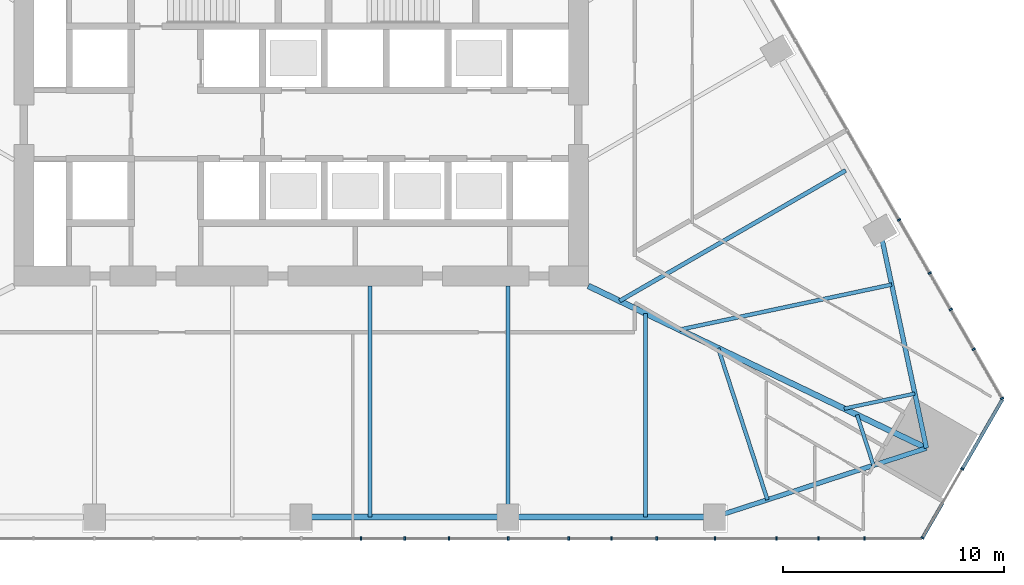
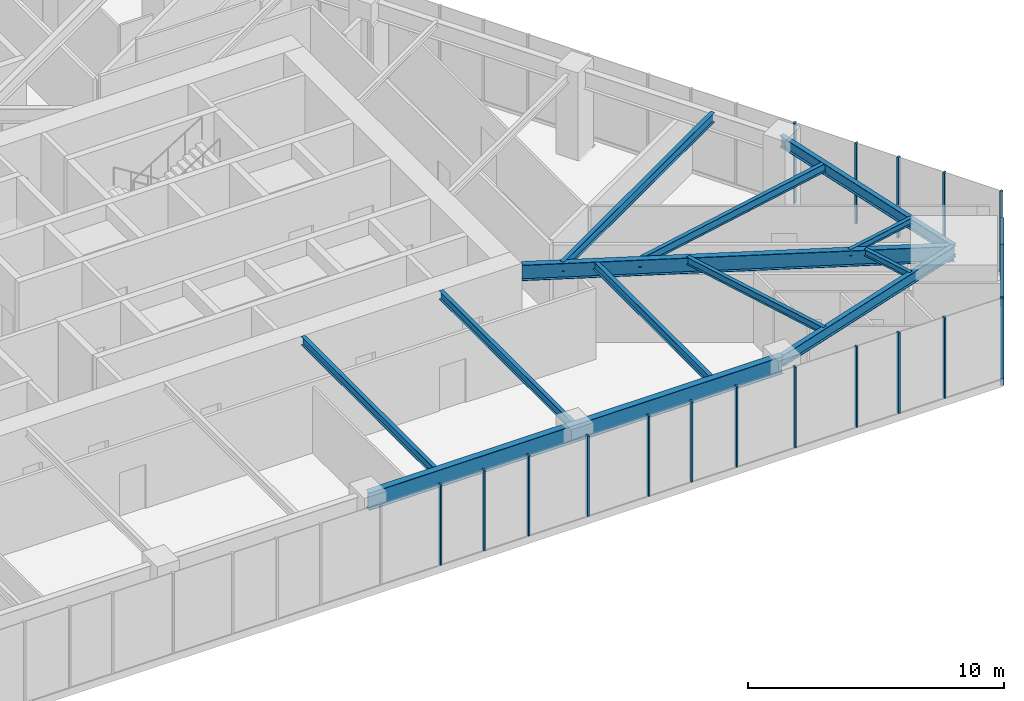
# One storey, part 6 of 19: 22 members, 12 beams, 3 elements without a shape of their own.
"""IFC4 building model written with IfcOpenShell, lengths in metres."""

from ifc_helpers import new_model, si_unit, direction, frame, origin, origin_2d, place, context, subcontext, project, spatial, rectangle, i_section, extrude, material, layer, layer_set, material_profile, profile_set, type_object, element, aggregate, save


model = new_model("IFC4")

# Units and contexts
model_context = context("Model", 3, precision=1e-05, world=origin(), true_north=direction((0.0, 1.0)))
body_context = subcontext(model_context, "Body", "Model", "MODEL_VIEW")
ifc_project = project(units=[si_unit("LENGTHUNIT", "METRE"), si_unit("AREAUNIT", "SQUARE_METRE"), si_unit("VOLUMEUNIT", "CUBIC_METRE"), si_unit("PLANEANGLEUNIT", "RADIAN"), si_unit("MASSUNIT", "GRAM", prefix="KILO")], contexts=[model_context])

# Site, building, storey
site_placement = place(None, origin())
site = spatial("IfcSite", under=ifc_project, at=site_placement, CompositionType="ELEMENT")
building_placement = place(site_placement, origin())
building = spatial("IfcBuilding", under=site, at=building_placement, Name="Firuza Gate Tower and Library", CompositionType="ELEMENT")
storey_placement = place(building_placement, frame((0.0, 0.0, 103.0)))
storey = spatial("IfcBuildingStorey", under=building, at=storey_placement, Name="L23", CompositionType="ELEMENT", Elevation=103.0)

# Curtain wall, members
ifc_material_1 = material(Name="Aluminium 6063-T6", Category="aluminium")
ifc_layer_1 = layer(ifc_material_1, 0.14990234375)
ifc_layer_set_1 = layer_set([ifc_layer_1], Name="Unitised curtain wall, offices")
curtain_wall_type_1 = type_object("IfcCurtainWallType", Name="Unitised curtain wall, offices", PredefinedType="NOTDEFINED", material=ifc_layer_set_1)
placement = place(storey_placement, origin())
curtain_wall_1 = element("IfcCurtainWall", 1, at=placement, inside=storey, type_object=curtain_wall_type_1, Name="CW1 L23 S face", PredefinedType="NOTDEFINED")
ifc_material_2 = material(Name="Aluminium 6063-T6", Category="aluminium")
ifc_material_profile_1 = material_profile(ifc_material_2, rectangle(XDim=0.14990234375, YDim=0.080078125, at=origin_2d()))
ifc_profile_set_1 = profile_set([ifc_material_profile_1], Name="Aluminium 6063-T6")
member_type_1 = type_object("IfcMemberType", Name="Curtain wall mullion 80x150", PredefinedType="MULLION", material=ifc_profile_set_1)
member_1_placement = place(storey_placement, frame((79.684326171875, 54.566162109375, 0.14990234375), z_axis=(0.0, 0.0, 1.0), x_axis=(0.0, 1.0, 0.0)))
member_1 = element("IfcMember", 2, at=member_1_placement, type_object=member_type_1, Name="Mullion", PredefinedType="MULLION", context=body_context, shape_type="SweptSolid", body=[
    extrude(rectangle(XDim=0.14990234375, YDim=0.080078125, at=origin_2d()), origin(), (0.0, 0.0, 1.0), 3.85009765625),
])
member_2_placement = place(storey_placement, frame((84.36865234375, 54.566162109375, 0.14990234375), z_axis=(0.0, 0.0, 1.0), x_axis=(0.0, 1.0, 0.0)))
member_2 = element("IfcMember", 3, at=member_2_placement, type_object=member_type_1, Name="Mullion", PredefinedType="MULLION", context=body_context, shape_type="SweptSolid", body=[
    extrude(rectangle(XDim=0.14990234375, YDim=0.080078125, at=origin_2d()), origin(), (0.0, 0.0, 1.0), 3.85009765625),
])
member_3_placement = place(storey_placement, frame((89.052978515625, 54.566162109375, 0.14990234375), z_axis=(0.0, 0.0, 1.0), x_axis=(0.0, 1.0, 0.0)))
member_3 = element("IfcMember", 4, at=member_3_placement, type_object=member_type_1, Name="Mullion", PredefinedType="MULLION", context=body_context, shape_type="SweptSolid", body=[
    extrude(rectangle(XDim=0.14990234375, YDim=0.080078125, at=origin_2d()), origin(), (0.0, 0.0, 1.0), 3.85009765625),
])
member_4_placement = place(storey_placement, frame((93.7373046875, 54.566162109375, 0.14990234375), z_axis=(0.0, 0.0, 1.0), x_axis=(0.0, 1.0, 0.0)))
member_4 = element("IfcMember", 5, at=member_4_placement, type_object=member_type_1, Name="Mullion", PredefinedType="MULLION", context=body_context, shape_type="SweptSolid", body=[
    extrude(rectangle(XDim=0.14990234375, YDim=0.080078125, at=origin_2d()), origin(), (0.0, 0.0, 1.0), 3.85009765625),
])
member_5_placement = place(storey_placement, frame((98.421630859375, 54.566162109375, 0.14990234375), z_axis=(0.0, 0.0, 1.0), x_axis=(0.0, 1.0, 0.0)))
member_5 = element("IfcMember", 6, at=member_5_placement, type_object=member_type_1, Name="Mullion", PredefinedType="MULLION", context=body_context, shape_type="SweptSolid", body=[
    extrude(rectangle(XDim=0.14990234375, YDim=0.080078125, at=origin_2d()), origin(), (0.0, 0.0, 1.0), 3.85009765625),
])
member_6_placement = place(storey_placement, frame((77.712890625, 54.566162109375, 0.14990234375), z_axis=(0.0, 0.0, 1.0), x_axis=(0.0, 1.0, 0.0)))
member_6 = element("IfcMember", 7, at=member_6_placement, type_object=member_type_1, Name="Mullion", PredefinedType="MULLION", context=body_context, shape_type="SweptSolid", body=[
    extrude(rectangle(XDim=0.14990234375, YDim=0.080078125, at=origin_2d()), origin(), (0.0, 0.0, 1.0), 3.85009765625),
])
member_7_placement = place(storey_placement, frame((81.6904296875, 54.566162109375, 0.14990234375), z_axis=(0.0, 0.0, 1.0), x_axis=(0.0, 1.0, 0.0)))
member_7 = element("IfcMember", 8, at=member_7_placement, type_object=member_type_1, Name="Mullion", PredefinedType="MULLION", context=body_context, shape_type="SweptSolid", body=[
    extrude(rectangle(XDim=0.14990234375, YDim=0.080078125, at=origin_2d()), origin(), (0.0, 0.0, 1.0), 3.85009765625),
])
member_8_placement = place(storey_placement, frame((87.116455078125, 54.566162109375, 0.14990234375), z_axis=(0.0, 0.0, 1.0), x_axis=(0.0, 1.0, 0.0)))
member_8 = element("IfcMember", 9, at=member_8_placement, type_object=member_type_1, Name="Mullion", PredefinedType="MULLION", context=body_context, shape_type="SweptSolid", body=[
    extrude(rectangle(XDim=0.14990234375, YDim=0.080078125, at=origin_2d()), origin(), (0.0, 0.0, 1.0), 3.85009765625),
])
member_9_placement = place(storey_placement, frame((91.09375, 54.566162109375, 0.14990234375), z_axis=(0.0, 0.0, 1.0), x_axis=(0.0, 1.0, 0.0)))
member_9 = element("IfcMember", 10, at=member_9_placement, type_object=member_type_1, Name="Mullion", PredefinedType="MULLION", context=body_context, shape_type="SweptSolid", body=[
    extrude(rectangle(XDim=0.14990234375, YDim=0.080078125, at=origin_2d()), origin(), (0.0, 0.0, 1.0), 3.85009765625),
])
member_10_placement = place(storey_placement, frame((96.519775390625, 54.566162109375, 0.14990234375), z_axis=(0.0, 0.0, 1.0), x_axis=(0.0, 1.0, 0.0)))
member_10 = element("IfcMember", 11, at=member_10_placement, type_object=member_type_1, Name="Mullion", PredefinedType="MULLION", context=body_context, shape_type="SweptSolid", body=[
    extrude(rectangle(XDim=0.14990234375, YDim=0.080078125, at=origin_2d()), origin(), (0.0, 0.0, 1.0), 3.85009765625),
])
member_11_placement = place(storey_placement, frame((100.4970703125, 54.566162109375, 0.14990234375), z_axis=(0.0, 0.0, 1.0), x_axis=(0.0, 1.0, 0.0)))
member_11 = element("IfcMember", 12, at=member_11_placement, type_object=member_type_1, Name="Mullion", PredefinedType="MULLION", context=body_context, shape_type="SweptSolid", body=[
    extrude(rectangle(XDim=0.14990234375, YDim=0.080078125, at=origin_2d()), origin(), (0.0, 0.0, 1.0), 3.85009765625),
])
aggregate(curtain_wall_1, [member_1, member_2, member_3, member_4, member_5, member_6, member_7, member_8, member_9, member_10, member_11])

ifc_material_3 = material(Name="Aluminium 6063-T6", Category="aluminium")
ifc_layer_2 = layer(ifc_material_3, 0.14990234375)
ifc_layer_set_2 = layer_set([ifc_layer_2], Name="Corner curtain wall, chamfers")
curtain_wall_type_2 = type_object("IfcCurtainWallType", Name="Corner curtain wall, chamfers", PredefinedType="NOTDEFINED", material=ifc_layer_set_2)
curtain_wall_2 = element("IfcCurtainWall", 13, at=placement, inside=storey, type_object=curtain_wall_type_2, Name="CW4 L23 SE corner", PredefinedType="NOTDEFINED")
member_12_placement = place(storey_placement, frame((103.1259765625, 54.600830078125, 0.14990234375), z_axis=(0.0, 0.0, 1.0), x_axis=(-0.866025403784, 0.5, 0.0)))
member_12 = element("IfcMember", 14, at=member_12_placement, type_object=member_type_1, Name="Mullion", PredefinedType="MULLION", context=body_context, shape_type="SweptSolid", body=[
    extrude(rectangle(XDim=0.14990234375, YDim=0.080078125, at=origin_2d()), origin(), (0.0, 0.0, 1.0), 3.85009765625),
])
member_13_placement = place(storey_placement, frame((104.927490234375, 57.72119140625, 0.14990234375), z_axis=(0.0, 0.0, 1.0), x_axis=(-0.866025403784, 0.5, 0.0)))
member_13 = element("IfcMember", 15, at=member_13_placement, type_object=member_type_1, Name="Mullion", PredefinedType="MULLION", context=body_context, shape_type="SweptSolid", body=[
    extrude(rectangle(XDim=0.14990234375, YDim=0.080078125, at=origin_2d()), origin(), (0.0, 0.0, 1.0), 3.85009765625),
])

curtain_wall_3 = element("IfcCurtainWall", 16, at=placement, inside=storey, type_object=curtain_wall_type_1, Name="CW1 L23 E face", PredefinedType="NOTDEFINED")
member_14_placement = place(storey_placement, frame((106.729248046875, 60.9111328125, 0.14990234375), z_axis=(0.0, 0.0, 1.0), x_axis=(-0.866025403784, -0.5, 0.0)))
member_14 = element("IfcMember", 17, at=member_14_placement, type_object=member_type_1, Name="Mullion", PredefinedType="MULLION", context=body_context, shape_type="SweptSolid", body=[
    extrude(rectangle(XDim=0.14990234375, YDim=0.080078125, at=origin_2d()), origin(), (0.0, 0.0, 1.0), 3.85009765625),
])
member_15_placement = place(storey_placement, frame((104.406982421875, 64.933349609375, 0.14990234375), z_axis=(0.0, 0.0, 1.0), x_axis=(-0.866025403784, -0.5, 0.0)))
member_15 = element("IfcMember", 18, at=member_15_placement, type_object=member_type_1, Name="Mullion", PredefinedType="MULLION", context=body_context, shape_type="SweptSolid", body=[
    extrude(rectangle(XDim=0.14990234375, YDim=0.080078125, at=origin_2d()), origin(), (0.0, 0.0, 1.0), 3.85009765625),
])
member_16_placement = place(storey_placement, frame((102.06494140625, 68.989990234375, 0.14990234375), z_axis=(0.0, 0.0, 1.0), x_axis=(-0.866025403784, -0.5, 0.0)))
member_16 = element("IfcMember", 19, at=member_16_placement, type_object=member_type_1, Name="Mullion", PredefinedType="MULLION", context=body_context, shape_type="SweptSolid", body=[
    extrude(rectangle(XDim=0.14990234375, YDim=0.080078125, at=origin_2d()), origin(), (0.0, 0.0, 1.0), 3.85009765625),
])
member_17_placement = place(storey_placement, frame((105.44482421875, 63.1357421875, 0.14990234375), z_axis=(0.0, 0.0, 1.0), x_axis=(-0.866025403784, -0.5, 0.0)))
member_17 = element("IfcMember", 20, at=member_17_placement, type_object=member_type_1, Name="Mullion", PredefinedType="MULLION", context=body_context, shape_type="SweptSolid", body=[
    extrude(rectangle(XDim=0.14990234375, YDim=0.080078125, at=origin_2d()), origin(), (0.0, 0.0, 1.0), 3.85009765625),
])
member_18_placement = place(storey_placement, frame((103.4560546875, 66.580322265625, 0.14990234375), z_axis=(0.0, 0.0, 1.0), x_axis=(-0.866025403784, -0.5, 0.0)))
member_18 = element("IfcMember", 21, at=member_18_placement, type_object=member_type_1, Name="Mullion", PredefinedType="MULLION", context=body_context, shape_type="SweptSolid", body=[
    extrude(rectangle(XDim=0.14990234375, YDim=0.080078125, at=origin_2d()), origin(), (0.0, 0.0, 1.0), 3.85009765625),
])
aggregate(curtain_wall_3, [member_14, member_15, member_16, member_17, member_18])

# Member
ifc_material_4 = material(Name="Aluminium 6063-T6", Category="aluminium")
ifc_material_profile_2 = material_profile(ifc_material_4, rectangle(XDim=0.14990234375, YDim=0.35009765625, at=origin_2d()))
ifc_profile_set_2 = profile_set([ifc_material_profile_2], Name="Aluminium 6063-T6")
member_type_2 = type_object("IfcMemberType", Name="Curtain wall transom 350x150", PredefinedType="USERDEFINED", material=ifc_profile_set_2)
member_19_placement = place(storey_placement, frame((103.10595703125, 54.566162109375, -0.02490234375), z_axis=(0.499971966783, 0.866041588165, 0.0), x_axis=(-0.866041588165, 0.499971966783, 0.0)))
member_19 = element("IfcMember", 22, at=member_19_placement, type_object=member_type_2, Name="Transom", ObjectType="TRANSOM", PredefinedType="USERDEFINED", context=body_context, shape_type="SweptSolid", body=[
    extrude(rectangle(XDim=0.14990234375, YDim=0.35009765625, at=origin_2d()), origin(), (0.0, 0.0, 1.0), 1.86328125),
])

member_20_placement = place(storey_placement, frame((105.8173828125, 59.2626953125, -0.02490234375), z_axis=(0.500070225731, 0.865984855143, 0.0), x_axis=(-0.865984855143, 0.500070225731, 0.0)))
member_20 = element("IfcMember", 23, at=member_20_placement, type_object=member_type_2, Name="Transom", ObjectType="TRANSOM", PredefinedType="USERDEFINED", context=body_context, shape_type="SweptSolid", body=[
    extrude(rectangle(XDim=0.14990234375, YDim=0.35009765625, at=origin_2d()), origin(), (0.0, 0.0, 1.0), 1.863525390625),
])

ifc_material_5 = material(Name="Aluminium 6063-T6", Category="aluminium")
ifc_material_profile_3 = material_profile(ifc_material_5, rectangle(XDim=0.14990234375, YDim=0.080078125, at=origin_2d()))
ifc_profile_set_3 = profile_set([ifc_material_profile_3], Name="Aluminium 6063-T6")
member_type_3 = type_object("IfcMemberType", Name="Curtain wall transom 80x150", PredefinedType="USERDEFINED", material=ifc_profile_set_3)
member_21_placement = place(storey_placement, frame((104.947509765625, 57.755859375, 1.449951171875), z_axis=(0.500015035186, 0.866016723041, 0.0), x_axis=(-0.866016723041, 0.500015035186, 0.0)))
member_21 = element("IfcMember", 24, at=member_21_placement, type_object=member_type_3, Name="Transom", ObjectType="TRANSOM", PredefinedType="USERDEFINED", context=body_context, shape_type="SweptSolid", body=[
    extrude(rectangle(XDim=0.14990234375, YDim=0.080078125, at=origin_2d()), origin(), (0.0, 0.0, 1.0), 3.5634765625),
])

member_22_placement = place(storey_placement, frame((104.947509765625, 57.755859375, 2.72509765625), z_axis=(0.500015035186, 0.866016723041, 0.0), x_axis=(-0.866016723041, 0.500015035186, 0.0)))
member_22 = element("IfcMember", 25, at=member_22_placement, type_object=member_type_3, Name="Transom", ObjectType="TRANSOM", PredefinedType="USERDEFINED", context=body_context, shape_type="SweptSolid", body=[
    extrude(rectangle(XDim=0.14990234375, YDim=0.080078125, at=origin_2d()), origin(), (0.0, 0.0, 1.0), 3.5634765625),
])

aggregate(curtain_wall_2, [member_12, member_13, member_19, member_20, member_21, member_22])

# Beams
ifc_material_6 = material(Name="Steel S355", Category="steel")
ifc_material_profile_4 = material_profile(ifc_material_6, i_section(OverallWidth=0.1650390625, OverallDepth=0.31005859375, WebThickness=0.005859375, FlangeThickness=0.009765625, at=origin_2d()))
ifc_profile_set_4 = profile_set([ifc_material_profile_4], Name="Steel S355")
beam_type_1 = type_object("IfcBeamType", Name="W310x39 Floor beam", PredefinedType="JOIST", material=ifc_profile_set_4)
beam_1_placement = place(storey_placement, frame((100.905029296875, 57.87939453125, 3.844970703125), z_axis=(-0.308998819995, 0.951062421317, 0.0), x_axis=(-0.951062421317, -0.308998819995, 0.0)))
element("IfcBeam", 26, at=beam_1_placement, inside=storey, type_object=beam_type_1, Name="Floor beam L23 s31", PredefinedType="JOIST", context=body_context, shape_type="SweptSolid", body=[
    extrude(i_section(OverallWidth=0.1650390625, OverallDepth=0.31005859375, WebThickness=0.005859375, FlangeThickness=0.009765625, at=origin_2d()), origin(), (0.0, 0.0, 1.0), 2.404296875),
])
beam_2_placement = place(storey_placement, frame((102.779296875, 61.1259765625, 3.844970703125), z_axis=(-0.97813855531, -0.207954241639, 0.0), x_axis=(0.207954241639, -0.97813855531, 0.0)))
element("IfcBeam", 27, at=beam_2_placement, inside=storey, type_object=beam_type_1, Name="Floor beam L23 s40", PredefinedType="JOIST", context=body_context, shape_type="SweptSolid", body=[
    extrude(i_section(OverallWidth=0.1650390625, OverallDepth=0.31005859375, WebThickness=0.005859375, FlangeThickness=0.009765625, at=origin_2d()), origin(), (0.0, 0.0, 1.0), 3.27197265625),
])
ifc_material_7 = material(Name="Steel S355", Category="steel")
ifc_material_profile_5 = material_profile(ifc_material_7, i_section(OverallWidth=0.1708984375, OverallDepth=0.35498046875, WebThickness=0.007080078125, FlangeThickness=0.01171875, at=origin_2d()))
ifc_profile_set_5 = profile_set([ifc_material_profile_5], Name="Steel S355")
beam_type_2 = type_object("IfcBeamType", Name="W360x51 Floor beam", PredefinedType="JOIST", material=ifc_profile_set_5)
beam_3_placement = place(storey_placement, frame((96.107177734375, 56.320556640625, 3.822509765625), z_axis=(-0.309008767466, 0.951059189341, 0.0), x_axis=(-0.951059189341, -0.309008767466, 0.0)))
element("IfcBeam", 28, at=beam_3_placement, inside=storey, type_object=beam_type_2, Name="Floor beam L23 s30", PredefinedType="JOIST", context=body_context, shape_type="SweptSolid", body=[
    extrude(i_section(OverallWidth=0.1708984375, OverallDepth=0.35498046875, WebThickness=0.007080078125, FlangeThickness=0.01171875, at=origin_2d()), origin(), (0.0, 0.0, 1.0), 7.212646484375),
])
ifc_material_8 = material(Name="Steel S355", Category="steel")
ifc_material_profile_6 = material_profile(ifc_material_8, i_section(OverallWidth=0.177978515625, OverallDepth=0.406982421875, WebThickness=0.0078125, FlangeThickness=0.0126953125, at=origin_2d()))
ifc_profile_set_6 = profile_set([ifc_material_profile_6], Name="Steel S355")
beam_type_3 = type_object("IfcBeamType", Name="W410x60 Floor beam", PredefinedType="JOIST", material=ifc_profile_set_6)
for number, where, z_axis, x_axis, name in (
    (29, (78.1181640625, 55.541015625, 3.79638671875), (0.0, 1.0, 0.0), (-1.0, 0.0, 0.0), "Floor beam L23 s23"),
    (30, (84.354248046875, 55.541015625, 3.79638671875), (0.0, 1.0, 0.0), (-1.0, 0.0, 0.0), "Floor beam L23 s24"),
):
    element("IfcBeam", number, at=place(storey_placement, frame(where, z_axis=z_axis, x_axis=x_axis)), inside=storey, type_object=beam_type_3, Name=name, PredefinedType="JOIST", context=body_context, shape_type="SweptSolid", body=[
        extrude(i_section(OverallWidth=0.177978515625, OverallDepth=0.406982421875, WebThickness=0.0078125, FlangeThickness=0.0126953125, at=origin_2d()), origin(), (0.0, 0.0, 1.0), 10.458984375),
    ])
beam_4_placement = place(storey_placement, frame((90.59033203125, 55.541015625, 3.79638671875), z_axis=(0.0, 1.0, 0.0), x_axis=(-1.0, 0.0, 0.0)))
element("IfcBeam", 31, at=beam_4_placement, inside=storey, type_object=beam_type_3, Name="Floor beam L23 s25", PredefinedType="JOIST", context=body_context, shape_type="SweptSolid", body=[
    extrude(i_section(OverallWidth=0.177978515625, OverallDepth=0.406982421875, WebThickness=0.0078125, FlangeThickness=0.0126953125, at=origin_2d()), origin(), (0.0, 0.0, 1.0), 9.21630859375),
])
beam_5_placement = place(storey_placement, frame((101.73046875, 66.060302734375, 3.79638671875), z_axis=(-0.978144689505, -0.207925386601, 0.0), x_axis=(0.207925386601, -0.978144689505, 0.0)))
element("IfcBeam", 32, at=beam_5_placement, inside=storey, type_object=beam_type_3, Name="Floor beam L23 s41", PredefinedType="JOIST", context=body_context, shape_type="SweptSolid", body=[
    extrude(i_section(OverallWidth=0.177978515625, OverallDepth=0.406982421875, WebThickness=0.0078125, FlangeThickness=0.0126953125, at=origin_2d()), origin(), (0.0, 0.0, 1.0), 9.816162109375),
])
ifc_material_9 = material(Name="Steel S355", Category="steel")
ifc_material_profile_7 = material_profile(ifc_material_9, i_section(OverallWidth=0.18994140625, OverallDepth=0.45703125, WebThickness=0.009033203125, FlangeThickness=0.014404296875, at=origin_2d()))
ifc_profile_set_7 = profile_set([ifc_material_profile_7], Name="Steel S355")
beam_type_4 = type_object("IfcBeamType", Name="W460x74 Floor beam", PredefinedType="JOIST", material=ifc_profile_set_7)
beam_6_placement = place(storey_placement, frame((99.64697265625, 71.227783203125, 3.771484375), z_axis=(-0.866025562448, -0.499999725187, 0.0), x_axis=(0.499999725187, -0.866025562448, 0.0)))
element("IfcBeam", 33, at=beam_6_placement, inside=storey, type_object=beam_type_4, Name="Floor beam L23 s50", PredefinedType="JOIST", context=body_context, shape_type="SweptSolid", body=[
    extrude(i_section(OverallWidth=0.18994140625, OverallDepth=0.45703125, WebThickness=0.009033203125, FlangeThickness=0.014404296875, at=origin_2d()), origin(), (0.0, 0.0, 1.0), 11.81396484375),
])
ifc_material_10 = material(Name="Steel S355", Category="steel")
ifc_material_profile_8 = material_profile(ifc_material_10, i_section(OverallWidth=0.212890625, OverallDepth=0.5390625, WebThickness=0.01171875, FlangeThickness=0.018798828125, at=origin_2d()))
ifc_profile_set_8 = profile_set([ifc_material_profile_8], Name="Steel S355")
beam_type_5 = type_object("IfcBeamType", Name="W530x109 Edge beam", PredefinedType="SPANDREL", material=ifc_profile_set_8)
beam_7_placement = place(storey_placement, frame((93.70849609375, 55.541015625, 3.73046875), z_axis=(0.951056472923, 0.309017127862, 0.0), x_axis=(-0.309017127862, 0.951056472923, 0.0)))
element("IfcBeam", 34, at=beam_7_placement, inside=storey, type_object=beam_type_5, Name="Edge beam L23 e30", PredefinedType="SPANDREL", context=body_context, shape_type="SweptSolid", body=[
    extrude(i_section(OverallWidth=0.212890625, OverallDepth=0.5390625, WebThickness=0.01171875, FlangeThickness=0.018798828125, at=origin_2d()), origin(), (0.0, 0.0, 1.0), 10.089111328125),
])
beam_8_placement = place(storey_placement, frame((103.3037109375, 58.65869140625, 3.73046875), z_axis=(-0.207907664892, 0.978148456462, 0.0), x_axis=(-0.978148456462, -0.207907664892, 0.0)))
element("IfcBeam", 35, at=beam_8_placement, inside=storey, type_object=beam_type_5, Name="Edge beam L23 e40", PredefinedType="SPANDREL", context=body_context, shape_type="SweptSolid", body=[
    extrude(i_section(OverallWidth=0.212890625, OverallDepth=0.5390625, WebThickness=0.01171875, FlangeThickness=0.018798828125, at=origin_2d()), origin(), (0.0, 0.0, 1.0), 10.08935546875),
])
ifc_material_11 = material(Name="Steel S355", Category="steel")
ifc_material_profile_9 = material_profile(ifc_material_11, i_section(OverallWidth=0.264892578125, OverallDepth=0.7529296875, WebThickness=0.01318359375, FlangeThickness=0.01708984375, at=origin_2d()))
ifc_profile_set_9 = profile_set([ifc_material_profile_9], Name="Steel S355")
beam_type_6 = type_object("IfcBeamType", Name="W760x147 Girder", PredefinedType="BEAM", material=ifc_profile_set_9)
beam_9_placement = place(storey_placement, frame((103.3037109375, 58.65869140625, 3.62353515625), z_axis=(-0.901625831299, 0.43251689023, 0.0), x_axis=(-0.43251689023, -0.901625831299, 0.0)))
element("IfcBeam", 36, at=beam_9_placement, inside=storey, type_object=beam_type_6, Name="Girder L23 gSE", PredefinedType="BEAM", context=body_context, shape_type="SweptSolid", body=[
    extrude(i_section(OverallWidth=0.264892578125, OverallDepth=0.7529296875, WebThickness=0.01318359375, FlangeThickness=0.01708984375, at=origin_2d()), origin(), (0.0, 0.0, 1.0), 16.973388671875),
])
ifc_material_12 = material(Name="Steel S355", Category="steel")
ifc_material_profile_10 = material_profile(ifc_material_12, i_section(OverallWidth=0.2919921875, OverallDepth=0.8349609375, WebThickness=0.013916015625, FlangeThickness=0.018798828125, at=origin_2d()))
ifc_profile_set_10 = profile_set([ifc_material_profile_10], Name="Steel S355")
beam_type_7 = type_object("IfcBeamType", Name="W840x176 Edge beam", PredefinedType="SPANDREL", material=ifc_profile_set_10)
beam_10_placement = place(storey_placement, frame((75.0, 55.541015625, 3.58251953125), z_axis=(1.0, 0.0, 0.0), x_axis=(0.0, 1.0, 0.0)))
element("IfcBeam", 37, at=beam_10_placement, inside=storey, type_object=beam_type_7, Name="Edge beam L23 e22", PredefinedType="SPANDREL", context=body_context, shape_type="SweptSolid", body=[
    extrude(i_section(OverallWidth=0.2919921875, OverallDepth=0.8349609375, WebThickness=0.013916015625, FlangeThickness=0.018798828125, at=origin_2d()), origin(), (0.0, 0.0, 1.0), 18.70849609375),
])

save(model, "model.ifc")
